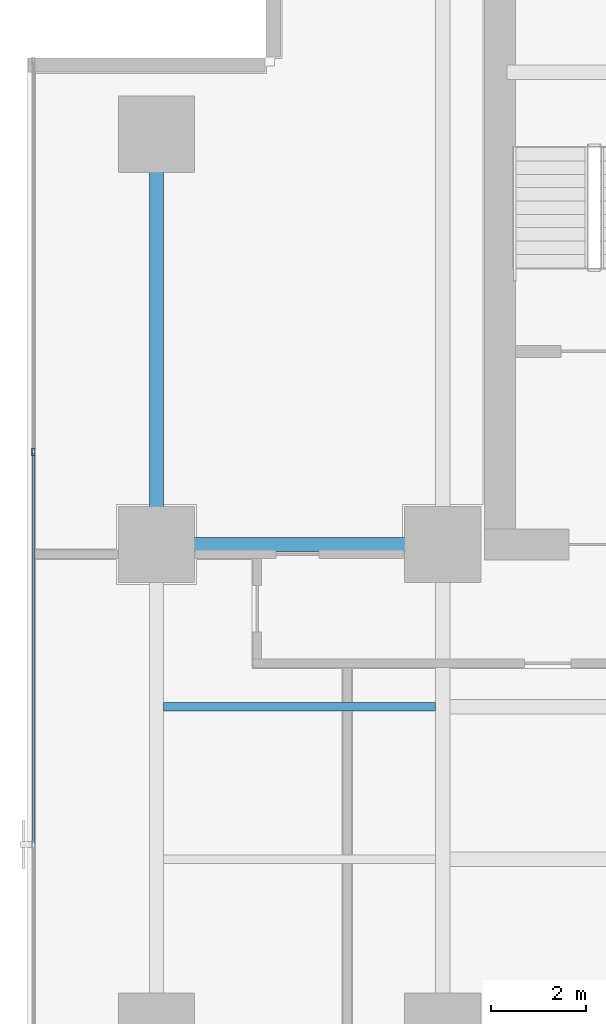
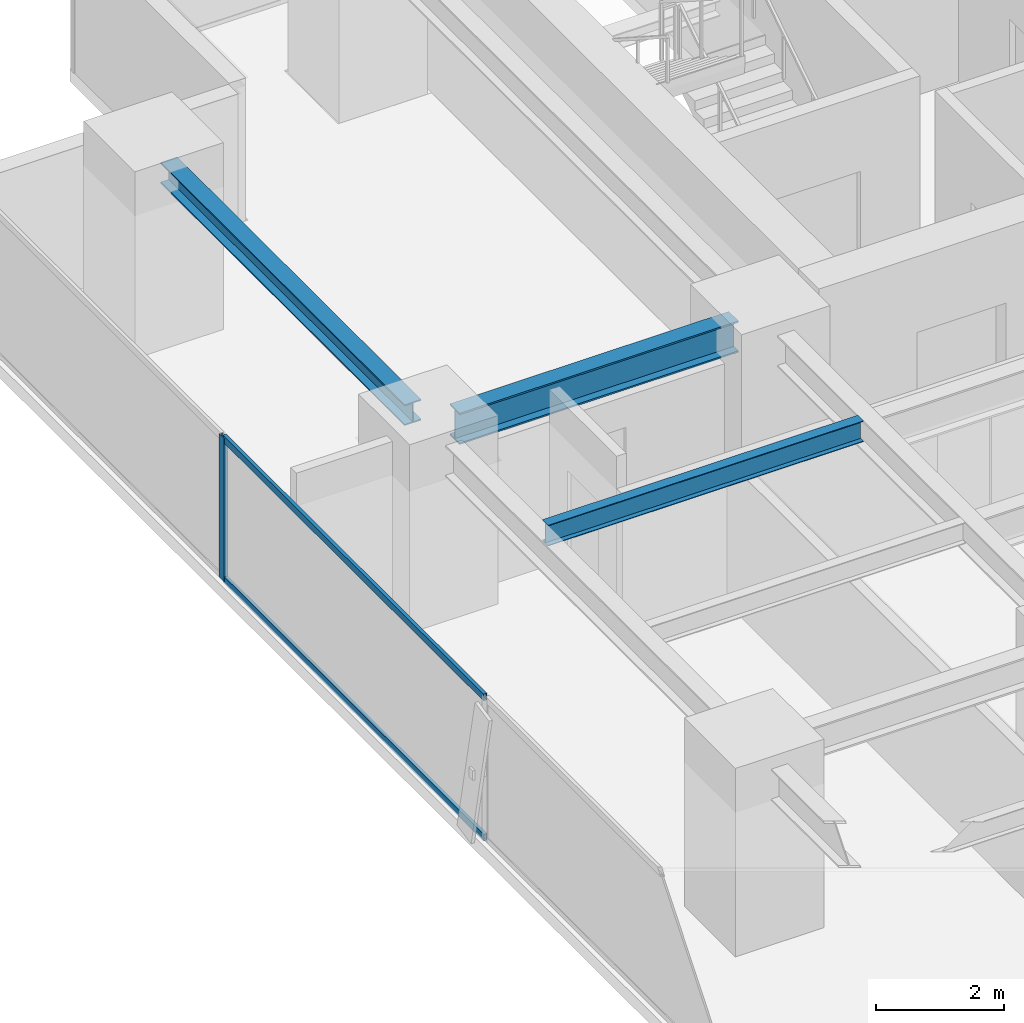
# One storey, part 17 of 37: 3 beams, 3 members, 1 element without a shape of its own.
"""IFC4 building model written with IfcOpenShell, lengths in metres."""

from ifc_helpers import new_model, si_unit, direction, frame, origin, origin_2d, place, context, subcontext, project, spatial, hollow_rectangle, i_section, extrude, source, transform, mapped, material, layer, layer_set, material_profile, profile_set, type_object, element, aggregate, save


model = new_model("IFC4")

# Units and contexts
model_context = context("Model", 3, precision=1e-05, world=origin(), true_north=direction((0.0, 1.0)))
body_context = subcontext(model_context, "Body", "Model", "MODEL_VIEW")
ifc_project = project(units=[si_unit("LENGTHUNIT", "METRE"), si_unit("AREAUNIT", "SQUARE_METRE"), si_unit("VOLUMEUNIT", "CUBIC_METRE"), si_unit("PLANEANGLEUNIT", "RADIAN"), si_unit("MASSUNIT", "GRAM", prefix="KILO")], contexts=[model_context])

# Site, building, storey
site_placement = place(None, origin())
site = spatial("IfcSite", under=ifc_project, at=site_placement, CompositionType="ELEMENT")
building_placement = place(site_placement, origin())
building = spatial("IfcBuilding", under=site, at=building_placement, Name="Sumidabori Civic Tower", CompositionType="ELEMENT")
storey_placement = place(building_placement, frame((0.0, 0.0, 117.199951171875)))
storey = spatial("IfcBuildingStorey", under=building, at=storey_placement, Name="L30", CompositionType="ELEMENT", Elevation=117.199951171875)

# Beams
ifc_material_1 = material(Name="Steel SN490", Category="steel")
ifc_material_profile_1 = material_profile(ifc_material_1, i_section(OverallWidth=0.300048828125, OverallDepth=0.60009765625, WebThickness=0.015380859375, FlangeThickness=0.030029296875, at=origin_2d()), Name="HE 600 B")
ifc_profile_set_1 = profile_set([ifc_material_profile_1], Name="Steel SN490")
beam_type_1 = type_object("IfcBeamType", Name="BM-GIRD-600", PredefinedType="BEAM", material=ifc_profile_set_1)
shared_shape_1 = source(origin(), body_context, "Body", "SweptSolid", [
    extrude(i_section(OverallWidth=0.300048828125, OverallDepth=0.60009765625, WebThickness=0.015380859375, FlangeThickness=0.030029296875, at=origin_2d()), origin(), (0.0, 0.0, 1.0), 5.0400390625),
])
beam_1_placement = place(storey_placement, frame((-22.320068359375, 10.199951171875, 3.06005859375), z_axis=(1.0, 0.0, 0.0), x_axis=(0.0, 1.0, 0.0)))
element("IfcBeam", 1, at=beam_1_placement, inside=storey, type_object=beam_type_1, Name="Primary Girder L30 GX-19", PredefinedType="BEAM", context=body_context, shape_type="MappedRepresentation", body=[
    mapped(shared_shape_1, transform((0.0, 0.0, 0.0), x_axis=(1.0, 0.0, 0.0), y_axis=(0.0, 1.0, 0.0), z_axis=(0.0, 0.0, 1.0), scale=1.0)),
])
ifc_material_profile_2 = material_profile(ifc_material_1, i_section(OverallWidth=0.300048828125, OverallDepth=0.39990234375, WebThickness=0.013427734375, FlangeThickness=0.02392578125, at=origin_2d()), Name="HE 400 B")
ifc_profile_set_2 = profile_set([ifc_material_profile_2], Name="Steel SN490")
beam_type_2 = type_object("IfcBeamType", Name="BM-GIRD-400", PredefinedType="BEAM", material=ifc_profile_set_2)
shared_shape_2 = source(origin(), body_context, "Body", "SweptSolid", [
    extrude(i_section(OverallWidth=0.300048828125, OverallDepth=0.39990234375, WebThickness=0.013427734375, FlangeThickness=0.02392578125, at=origin_2d()), origin(), (0.0, 0.0, 1.0), 7.64013671875),
])
beam_2_placement = place(storey_placement, frame((-22.800048828125, 10.679931640625, 3.16015625), z_axis=(0.0, 1.0, 0.0), x_axis=(-1.0, 0.0, 0.0)))
element("IfcBeam", 2, at=beam_2_placement, inside=storey, type_object=beam_type_2, Name="Primary Girder L30 GY-24", PredefinedType="BEAM", context=body_context, shape_type="MappedRepresentation", body=[
    mapped(shared_shape_2, transform((0.0, 0.0, 0.0), x_axis=(1.0, 0.0, 0.0), y_axis=(0.0, 1.0, 0.0), z_axis=(0.0, 0.0, 1.0), scale=1.0)),
])
ifc_material_profile_3 = material_profile(ifc_material_1, i_section(OverallWidth=0.179931640625, OverallDepth=0.39990234375, WebThickness=0.008544921875, FlangeThickness=0.013427734375, at=origin_2d()), Name="IPE 400")
ifc_profile_set_3 = profile_set([ifc_material_profile_3], Name="Steel SN490")
beam_type_3 = type_object("IfcBeamType", Name="BM-JST-400", PredefinedType="JOIST", material=ifc_profile_set_3)
shared_shape_3 = source(origin(), body_context, "Body", "SweptSolid", [
    extrude(i_section(OverallWidth=0.179931640625, OverallDepth=0.39990234375, WebThickness=0.008544921875, FlangeThickness=0.013427734375, at=origin_2d()), origin(), (0.0, 0.0, 1.0), 5.699951171875),
])
beam_3_placement = place(storey_placement, frame((-22.64990234375, 6.800048828125, 3.16015625), z_axis=(1.0, 0.0, 0.0), x_axis=(0.0, 1.0, 0.0)))
element("IfcBeam", 3, at=beam_3_placement, inside=storey, type_object=beam_type_3, Name="Outer Bay Floor Joist L30 JSTO-49", PredefinedType="JOIST", context=body_context, shape_type="MappedRepresentation", body=[
    mapped(shared_shape_3, transform((0.0, 0.0, 0.0), x_axis=(1.0, 0.0, 0.0), y_axis=(0.0, 1.0, 0.0), z_axis=(0.0, 0.0, 1.0), scale=1.0)),
])

# Curtain wall, members
ifc_material_2 = material(Name="Anodised Bronze Aluminium AW-6063-T6", Category="aluminium")
ifc_layer = layer(ifc_material_2, 0.179931640625, Name="Anodised Bronze Aluminium AW-6063-T6")
ifc_layer_set = layer_set([ifc_layer], Name="Anodised Bronze Aluminium AW-6063-T6")
curtain_wall_type = type_object("IfcCurtainWallType", Name="CW-SYS-3", PredefinedType="NOTDEFINED", material=ifc_layer_set)
curtain_wall_placement = place(storey_placement, origin())
curtain_wall = element("IfcCurtainWall", 4, at=curtain_wall_placement, inside=storey, type_object=curtain_wall_type, Name="Curtain Wall CW:L30:R10", PredefinedType="NOTDEFINED")
ifc_material_profile_4 = material_profile(ifc_material_2, hollow_rectangle(XDim=0.06494140625, YDim=0.159912109375, WallThickness=0.0048828125, at=origin_2d()), Name="ALU MULLION 160x65")
ifc_profile_set_4 = profile_set([ifc_material_profile_4], Name="Anodised Bronze Aluminium AW-6063-T6")
member_type_1 = type_object("IfcMemberType", Name="CW-MUL-160", PredefinedType="MULLION", material=ifc_profile_set_4)
shared_shape_4 = source(origin(), body_context, "Body", "SweptSolid", [
    extrude(hollow_rectangle(XDim=0.06494140625, YDim=0.159912109375, WallThickness=0.0048828125, at=origin_2d()), origin(), (0.0, 0.0, 1.0), 2.739990234375),
])
member_1_placement = place(storey_placement, frame((-25.3798828125, 12.14208984375, 0.0), z_axis=(0.0, 0.0, 1.0), x_axis=(1.0, 0.0, 0.0)))
member_1 = element("IfcMember", 5, at=member_1_placement, type_object=member_type_1, Name="CW-3 mullion 2", PredefinedType="MULLION", context=body_context, shape_type="MappedRepresentation", body=[
    mapped(shared_shape_4, transform((0.0, 0.0, 0.0), x_axis=(1.0, 0.0, 0.0), y_axis=(0.0, 1.0, 0.0), z_axis=(0.0, 0.0, 1.0), scale=1.0)),
])
ifc_material_profile_5 = material_profile(ifc_material_2, hollow_rectangle(XDim=0.06005859375, YDim=0.1298828125, WallThickness=0.0048828125, at=origin_2d()), Name="ALU TRANSOM 130x60")
ifc_profile_set_5 = profile_set([ifc_material_profile_5], Name="Anodised Bronze Aluminium AW-6063-T6")
member_type_2 = type_object("IfcMemberType", Name="CW-TRN-130", PredefinedType="USERDEFINED", material=ifc_profile_set_5)
shared_shape_5 = source(origin(), body_context, "Body", "SweptSolid", [
    extrude(hollow_rectangle(XDim=0.06005859375, YDim=0.1298828125, WallThickness=0.0048828125, at=origin_2d()), origin(), (0.0, 0.0, 1.0), 8.1630859375),
])
member_2_placement = place(storey_placement, frame((-25.3798828125, 12.109619140625, 0.030029296875), z_axis=(0.0, -1.0, 0.0), x_axis=(1.0, 0.0, 0.0)))
member_2 = element("IfcMember", 6, at=member_2_placement, type_object=member_type_2, Name="CW-3 transom 2.1", ObjectType="TRANSOM", PredefinedType="USERDEFINED", context=body_context, shape_type="MappedRepresentation", body=[
    mapped(shared_shape_5, transform((0.0, 0.0, 0.0), x_axis=(1.0, 0.0, 0.0), y_axis=(0.0, 1.0, 0.0), z_axis=(0.0, 0.0, 1.0), scale=1.0)),
])
member_3_placement = place(storey_placement, frame((-25.3798828125, 12.109619140625, 2.7099609375), z_axis=(0.0, -1.0, 0.0), x_axis=(1.0, 0.0, 0.0)))
member_3 = element("IfcMember", 7, at=member_3_placement, type_object=member_type_2, Name="CW-3 transom 2.2", ObjectType="TRANSOM", PredefinedType="USERDEFINED", context=body_context, shape_type="MappedRepresentation", body=[
    mapped(shared_shape_5, transform((0.0, 0.0, 0.0), x_axis=(1.0, 0.0, 0.0), y_axis=(0.0, 1.0, 0.0), z_axis=(0.0, 0.0, 1.0), scale=1.0)),
])
aggregate(curtain_wall, [member_1, member_2, member_3])

save(model, "model.ifc")
